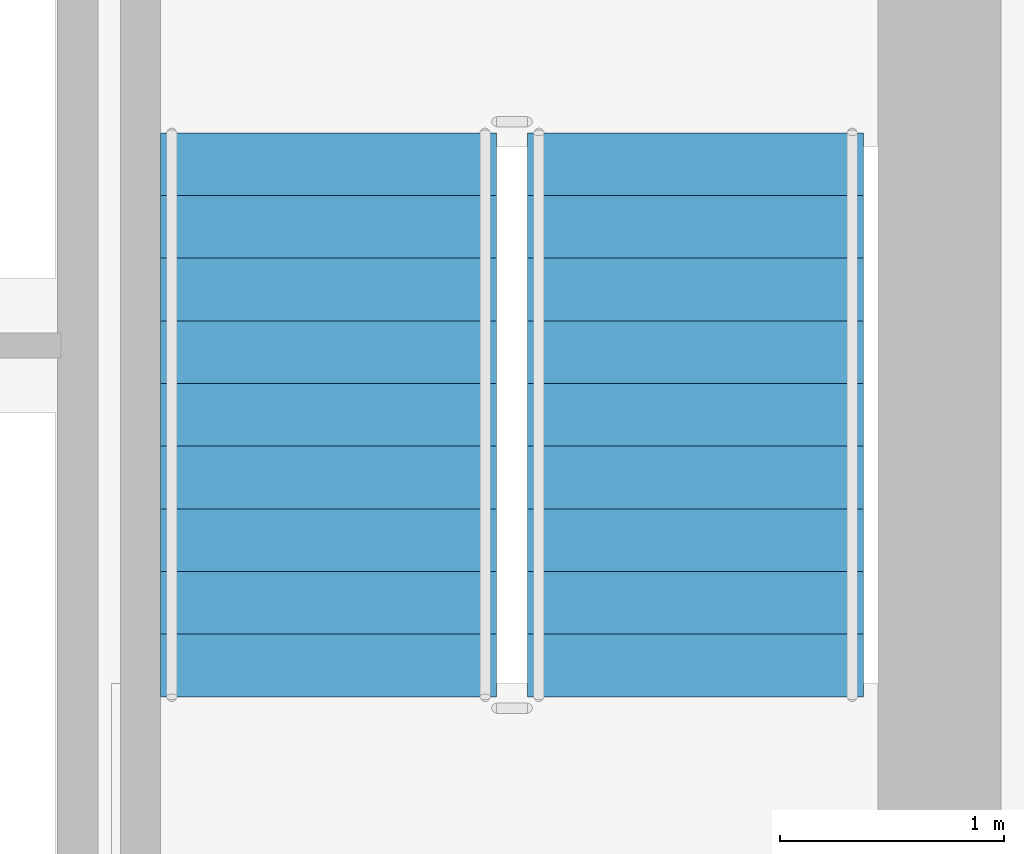
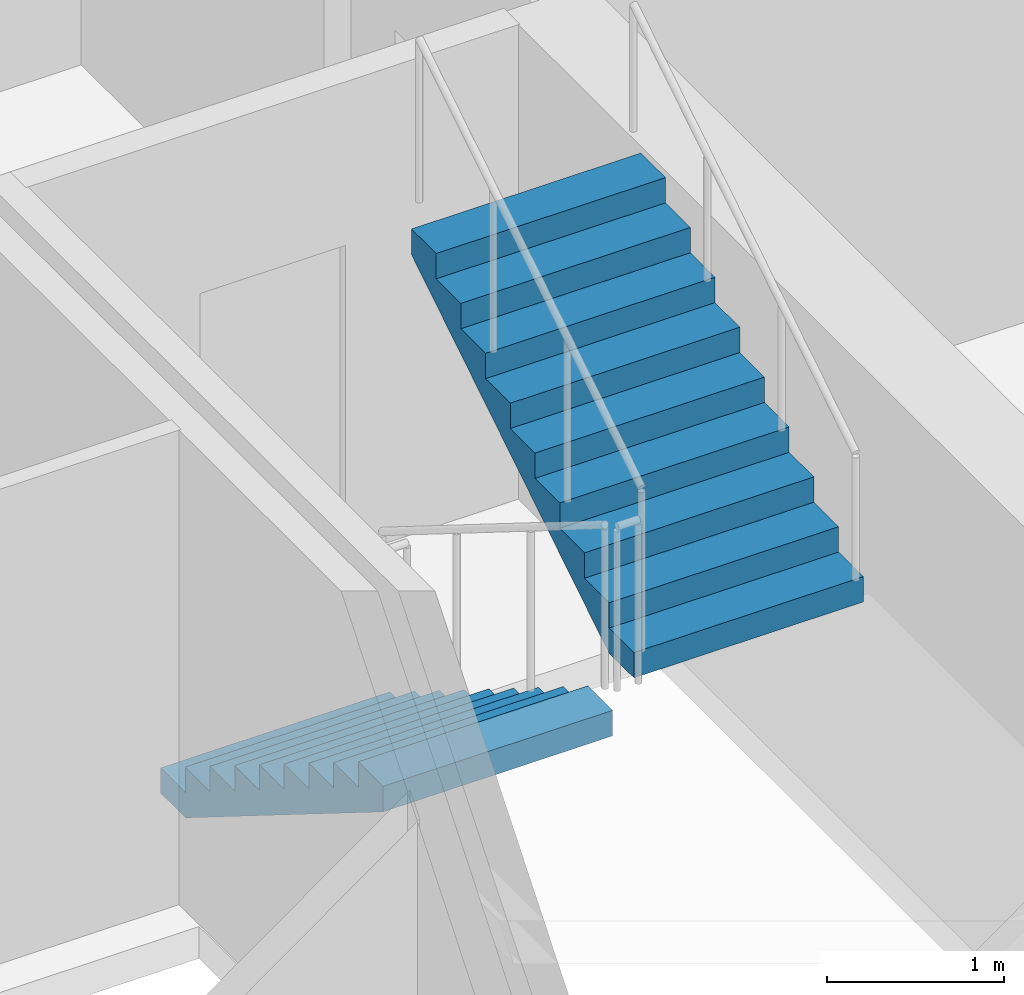
# One storey, part 7 of 12: 2 stair flights, 1 element without a shape of its own.
"""IFC4 building model written with IfcOpenShell, lengths in metres."""

from ifc_helpers import new_model, si_unit, direction, frame, origin, place, context, subcontext, project, spatial, polyline, outline, extrude, material, type_object, element, aggregate, save


model = new_model("IFC4")

# Units and contexts
model_context = context("Model", 3, precision=1e-05, world=origin(), true_north=direction((0.0, 1.0)))
body_context = subcontext(model_context, "Body", "Model", "MODEL_VIEW")
ifc_project = project(units=[si_unit("LENGTHUNIT", "METRE"), si_unit("AREAUNIT", "SQUARE_METRE"), si_unit("VOLUMEUNIT", "CUBIC_METRE"), si_unit("PLANEANGLEUNIT", "RADIAN"), si_unit("MASSUNIT", "GRAM", prefix="KILO")], contexts=[model_context])

# Site, building, storey
site_placement = place(None, origin())
site = spatial("IfcSite", under=ifc_project, at=site_placement, CompositionType="ELEMENT")
building_placement = place(site_placement, origin())
building = spatial("IfcBuilding", under=site, at=building_placement, Name="Cairnveth Concourse Tower", CompositionType="ELEMENT")
storey_placement = place(building_placement, frame((0.0, 0.0, 83.0)))
storey = spatial("IfcBuildingStorey", under=building, at=storey_placement, Name="L22", CompositionType="ELEMENT", Elevation=83.0)

# Stair, stair flights
ifc_material = material(Name="Precast concrete N50 (50 MPa)", Category="concrete")
stair_type = type_object("IfcStairType", Name="CORE DOG-LEG FIRE STAIR 1500", PredefinedType="HALF_TURN_STAIR", material=ifc_material)
stair_placement = place(storey_placement, origin())
stair = element("IfcStair", 1, at=stair_placement, inside=storey, type_object=stair_type, Name="L22 Fire-Isolated Stair ST-2", PredefinedType="HALF_TURN_STAIR")
stair_flight_type = type_object("IfcStairFlightType", Name="PRECAST CONCRETE STAIR FLIGHT 1500", PredefinedType="STRAIGHT", material=ifc_material)
stair_flight_1_placement = place(storey_placement, frame((57.77001953125, 37.10009765625, 0.0), z_axis=(0.0, 0.0, 1.0), x_axis=(0.0, -1.0, 0.0)))
stair_flight_1 = element("IfcStairFlight", 2, at=stair_flight_1_placement, type_object=stair_flight_type, Name="ST-2 flight 1", NumberOfRisers=10, NumberOfTreads=9, PredefinedType="STRAIGHT", RiserHeight=0.175, TreadLength=0.28, context=body_context, shape_type="SweptSolid", body=[
    extrude(outline(polyline([(0.0, 0.0), (0.0, 0.175048828125), (0.280029296875, 0.175048828125), (0.280029296875, 0.35009765625), (0.56005859375, 0.35009765625), (0.56005859375, 0.52490234375), (0.840087890625, 0.52490234375), (0.840087890625, 0.699951171875), (1.1201171875, 0.699951171875), (1.1201171875, 0.875), (1.39990234375, 0.875), (1.39990234375, 1.050048828125), (1.679931640625, 1.050048828125), (1.679931640625, 1.22509765625), (1.9599609375, 1.22509765625), (1.9599609375, 1.39990234375), (2.239990234375, 1.39990234375), (2.239990234375, 1.574951171875), (2.52001953125, 1.574951171875), (2.52001953125, 1.75), (2.52001953125, 1.398193359375), (0.28271484375, 0.0), (0.0, 0.0)])), frame((0.0, 0.75, 0.0), z_axis=(0.0, -1.0, 0.0), x_axis=(1.0, 0.0, 0.0)), (0.0, 0.0, 1.0), 1.5),
])
stair_flight_2_placement = place(storey_placement, frame((59.409912109375, 34.580078125, 1.75), z_axis=(0.0, 0.0, 1.0), x_axis=(0.0, 1.0, 0.0)))
stair_flight_2 = element("IfcStairFlight", 3, at=stair_flight_2_placement, type_object=stair_flight_type, Name="ST-2 flight 2", NumberOfRisers=10, NumberOfTreads=9, PredefinedType="STRAIGHT", RiserHeight=0.175, TreadLength=0.28, context=body_context, shape_type="SweptSolid", body=[
    extrude(outline(polyline([(0.0, 0.0), (0.0, 0.175048828125), (0.280029296875, 0.175048828125), (0.280029296875, 0.35009765625), (0.56005859375, 0.35009765625), (0.56005859375, 0.52490234375), (0.840087890625, 0.52490234375), (0.840087890625, 0.699951171875), (1.1201171875, 0.699951171875), (1.1201171875, 0.875), (1.39990234375, 0.875), (1.39990234375, 1.050048828125), (1.679931640625, 1.050048828125), (1.679931640625, 1.22509765625), (1.9599609375, 1.22509765625), (1.9599609375, 1.39990234375), (2.239990234375, 1.39990234375), (2.239990234375, 1.574951171875), (2.52001953125, 1.574951171875), (2.52001953125, 1.75), (2.52001953125, 1.398193359375), (0.28271484375, 0.0), (0.0, 0.0)])), frame((0.0, 0.75, 0.0), z_axis=(0.0, -1.0, 0.0), x_axis=(1.0, 0.0, 0.0)), (0.0, 0.0, 1.0), 1.5),
])
aggregate(stair, [stair_flight_1, stair_flight_2])

save(model, "model.ifc")
